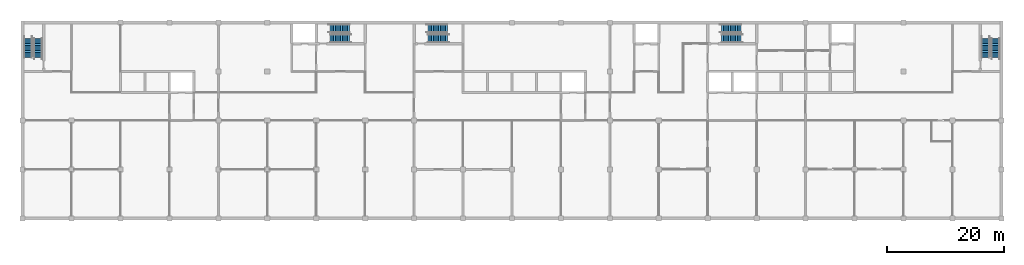
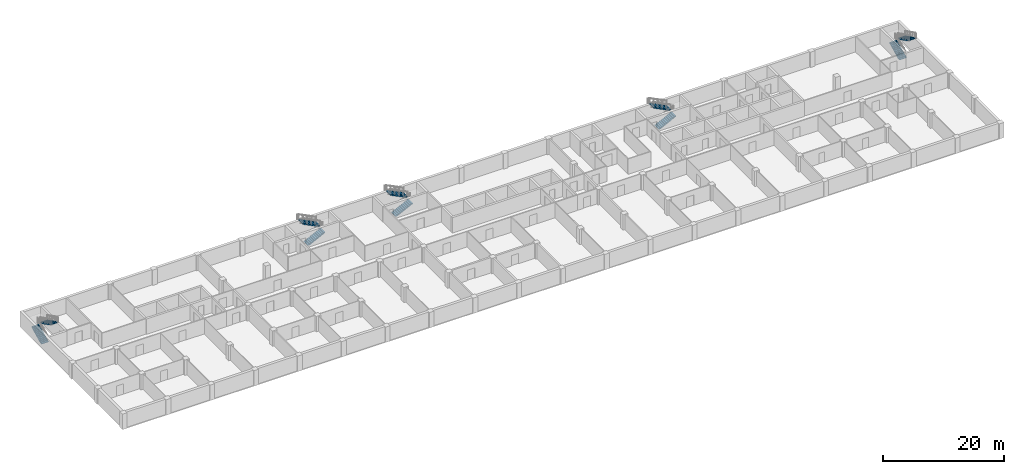
# One storey, part 7 of 12: 10 stair flights, 5 elements without a shape of their own.
"""IFC4 building model written with IfcOpenShell, lengths in metres."""

from ifc_helpers import new_model, si_unit, direction, frame, origin, place, context, subcontext, project, spatial, polyline, outline, extrude, material, type_object, element, aggregate, save


model = new_model("IFC4")

# Units and contexts
model_context = context("Model", 3, precision=1e-05, world=origin(), true_north=direction((0.0, 1.0)))
body_context = subcontext(model_context, "Body", "Model", "MODEL_VIEW")
ifc_project = project(units=[si_unit("LENGTHUNIT", "METRE"), si_unit("AREAUNIT", "SQUARE_METRE"), si_unit("VOLUMEUNIT", "CUBIC_METRE"), si_unit("PLANEANGLEUNIT", "RADIAN"), si_unit("MASSUNIT", "GRAM", prefix="KILO")], contexts=[model_context])

# Site, building, storey
site_placement = place(None, origin())
site = spatial("IfcSite", under=ifc_project, at=site_placement, CompositionType="ELEMENT")
building_placement = place(site_placement, origin())
building = spatial("IfcBuilding", under=site, at=building_placement, Name="Yavir Park General Hospital", CompositionType="ELEMENT")
storey_placement = place(building_placement, frame((0.0, 0.0, -7.800048828125)))
storey = spatial("IfcBuildingStorey", under=building, at=storey_placement, Name="B2", CompositionType="ELEMENT", Elevation=-7.800048828125)

# Stair, stair flights
ifc_material_1 = material(Name="Concrete C30/37", Category="concrete")
stair_type = type_object("IfcStairType", Name="Patient escape stair, 24 risers of 150 mm, 1400 mm flights", PredefinedType="HALF_TURN_STAIR", material=ifc_material_1)
stair_1_placement = place(storey_placement, origin())
stair_1 = element("IfcStair", 1, at=stair_1_placement, inside=storey, type_object=stair_type, Name="Stair BS1, B2 to B1", PredefinedType="HALF_TURN_STAIR")
ifc_material_2 = material(Name="Concrete C30/37", Category="concrete")
stair_flight_type = type_object("IfcStairFlightType", Name="Patient escape stair flight, 12 risers, 1400 mm wide", PredefinedType="STRAIGHT", material=ifc_material_2)
stair_flight_1_placement = place(storey_placement, frame((0.949951171875, 27.60009765625, 0.0), z_axis=(0.0, 0.0, 1.0), x_axis=(0.0, 1.0, 0.0)))
stair_flight_1 = element("IfcStairFlight", 2, at=stair_flight_1_placement, type_object=stair_flight_type, Name="BS1 flight 1", NumberOfRisers=12, NumberOfTreads=11, PredefinedType="STRAIGHT", RiserHeight=0.15, TreadLength=0.3, context=body_context, shape_type="SweptSolid", body=[
    extrude(outline(polyline([(0.0, 0.0), (0.0, 0.14990234375), (0.300048828125, 0.14990234375), (0.300048828125, 0.300048828125), (0.60009765625, 0.300048828125), (0.60009765625, 0.449951171875), (0.89990234375, 0.449951171875), (0.89990234375, 0.60009765625), (1.199951171875, 0.60009765625), (1.199951171875, 0.75), (1.5, 0.75), (1.5, 0.89990234375), (1.800048828125, 0.89990234375), (1.800048828125, 1.050048828125), (2.10009765625, 1.050048828125), (2.10009765625, 1.199951171875), (2.39990234375, 1.199951171875), (2.39990234375, 1.35009765625), (2.699951171875, 1.35009765625), (2.699951171875, 1.5), (3.0, 1.5), (3.0, 1.64990234375), (3.300048828125, 1.64990234375), (3.300048828125, 1.800048828125), (3.300048828125, 1.47119140625), (0.357666015625, 0.0), (0.0, 0.0)])), frame((0.0, 0.699951171875, 0.0), z_axis=(0.0, -1.0, 0.0), x_axis=(1.0, 0.0, 0.0)), (0.0, 0.0, 1.0), 1.39990234375),
])
stair_flight_2_placement = place(storey_placement, frame((2.64990234375, 30.89990234375, 1.800048828125), z_axis=(0.0, 0.0, 1.0), x_axis=(0.0, -1.0, 0.0)))
stair_flight_2 = element("IfcStairFlight", 3, at=stair_flight_2_placement, type_object=stair_flight_type, Name="BS1 flight 2", NumberOfRisers=12, NumberOfTreads=11, PredefinedType="STRAIGHT", RiserHeight=0.15, TreadLength=0.3, context=body_context, shape_type="SweptSolid", body=[
    extrude(outline(polyline([(0.0, 0.0), (0.0, 0.14990234375), (0.300048828125, 0.14990234375), (0.300048828125, 0.300048828125), (0.60009765625, 0.300048828125), (0.60009765625, 0.449951171875), (0.89990234375, 0.449951171875), (0.89990234375, 0.60009765625), (1.199951171875, 0.60009765625), (1.199951171875, 0.75), (1.5, 0.75), (1.5, 0.89990234375), (1.800048828125, 0.89990234375), (1.800048828125, 1.050048828125), (2.10009765625, 1.050048828125), (2.10009765625, 1.199951171875), (2.39990234375, 1.199951171875), (2.39990234375, 1.35009765625), (2.699951171875, 1.35009765625), (2.699951171875, 1.5), (3.0, 1.5), (3.0, 1.64990234375), (3.300048828125, 1.64990234375), (3.300048828125, 1.800048828125), (3.300048828125, 1.47119140625), (0.357666015625, 0.0), (0.0, 0.0)])), frame((0.0, 0.699951171875, 0.0), z_axis=(0.0, -1.0, 0.0), x_axis=(1.0, 0.0, 0.0)), (0.0, 0.0, 1.0), 1.39990234375),
])
aggregate(stair_1, [stair_flight_1, stair_flight_2])

stair_2_placement = place(storey_placement, origin())
stair_2 = element("IfcStair", 4, at=stair_2_placement, inside=storey, type_object=stair_type, Name="Stair BS2, B2 to B1", PredefinedType="HALF_TURN_STAIR")
stair_flight_3_placement = place(storey_placement, frame((52.800048828125, 30.89990234375, 0.0), z_axis=(0.0, 0.0, 1.0), x_axis=(1.0, 0.0, 0.0)))
stair_flight_3 = element("IfcStairFlight", 5, at=stair_flight_3_placement, type_object=stair_flight_type, Name="BS2 flight 1", NumberOfRisers=12, NumberOfTreads=11, PredefinedType="STRAIGHT", RiserHeight=0.15, TreadLength=0.3, context=body_context, shape_type="SweptSolid", body=[
    extrude(outline(polyline([(0.0, 0.0), (0.0, 0.14990234375), (0.300048828125, 0.14990234375), (0.300048828125, 0.300048828125), (0.60009765625, 0.300048828125), (0.60009765625, 0.449951171875), (0.89990234375, 0.449951171875), (0.89990234375, 0.60009765625), (1.199951171875, 0.60009765625), (1.199951171875, 0.75), (1.5, 0.75), (1.5, 0.89990234375), (1.800048828125, 0.89990234375), (1.800048828125, 1.050048828125), (2.10009765625, 1.050048828125), (2.10009765625, 1.199951171875), (2.39990234375, 1.199951171875), (2.39990234375, 1.35009765625), (2.699951171875, 1.35009765625), (2.699951171875, 1.5), (3.0, 1.5), (3.0, 1.64990234375), (3.300048828125, 1.64990234375), (3.300048828125, 1.800048828125), (3.300048828125, 1.47119140625), (0.357666015625, 0.0), (0.0, 0.0)])), frame((0.0, 0.699951171875, 0.0), z_axis=(0.0, -1.0, 0.0), x_axis=(1.0, 0.0, 0.0)), (0.0, 0.0, 1.0), 1.39990234375),
])
stair_flight_4_placement = place(storey_placement, frame((56.10009765625, 32.60009765625, 1.800048828125), z_axis=(0.0, 0.0, 1.0), x_axis=(-1.0, 0.0, 0.0)))
stair_flight_4 = element("IfcStairFlight", 6, at=stair_flight_4_placement, type_object=stair_flight_type, Name="BS2 flight 2", NumberOfRisers=12, NumberOfTreads=11, PredefinedType="STRAIGHT", RiserHeight=0.15, TreadLength=0.3, context=body_context, shape_type="SweptSolid", body=[
    extrude(outline(polyline([(0.0, 0.0), (0.0, 0.14990234375), (0.300048828125, 0.14990234375), (0.300048828125, 0.300048828125), (0.60009765625, 0.300048828125), (0.60009765625, 0.449951171875), (0.89990234375, 0.449951171875), (0.89990234375, 0.60009765625), (1.199951171875, 0.60009765625), (1.199951171875, 0.75), (1.5, 0.75), (1.5, 0.89990234375), (1.800048828125, 0.89990234375), (1.800048828125, 1.050048828125), (2.10009765625, 1.050048828125), (2.10009765625, 1.199951171875), (2.39990234375, 1.199951171875), (2.39990234375, 1.35009765625), (2.699951171875, 1.35009765625), (2.699951171875, 1.5), (3.0, 1.5), (3.0, 1.64990234375), (3.300048828125, 1.64990234375), (3.300048828125, 1.800048828125), (3.300048828125, 1.47119140625), (0.357666015625, 0.0), (0.0, 0.0)])), frame((0.0, 0.699951171875, 0.0), z_axis=(0.0, -1.0, 0.0), x_axis=(1.0, 0.0, 0.0)), (0.0, 0.0, 1.0), 1.39990234375),
])
aggregate(stair_2, [stair_flight_3, stair_flight_4])

stair_3_placement = place(storey_placement, origin())
stair_3 = element("IfcStair", 7, at=stair_3_placement, inside=storey, type_object=stair_type, Name="Stair BS3, B2 to B1", PredefinedType="HALF_TURN_STAIR")
stair_flight_5_placement = place(storey_placement, frame((69.60009765625, 30.89990234375, 0.0), z_axis=(0.0, 0.0, 1.0), x_axis=(1.0, 0.0, 0.0)))
stair_flight_5 = element("IfcStairFlight", 8, at=stair_flight_5_placement, type_object=stair_flight_type, Name="BS3 flight 1", NumberOfRisers=12, NumberOfTreads=11, PredefinedType="STRAIGHT", RiserHeight=0.15, TreadLength=0.3, context=body_context, shape_type="SweptSolid", body=[
    extrude(outline(polyline([(0.0, 0.0), (0.0, 0.14990234375), (0.300048828125, 0.14990234375), (0.300048828125, 0.300048828125), (0.60009765625, 0.300048828125), (0.60009765625, 0.449951171875), (0.89990234375, 0.449951171875), (0.89990234375, 0.60009765625), (1.199951171875, 0.60009765625), (1.199951171875, 0.75), (1.5, 0.75), (1.5, 0.89990234375), (1.800048828125, 0.89990234375), (1.800048828125, 1.050048828125), (2.10009765625, 1.050048828125), (2.10009765625, 1.199951171875), (2.39990234375, 1.199951171875), (2.39990234375, 1.35009765625), (2.699951171875, 1.35009765625), (2.699951171875, 1.5), (3.0, 1.5), (3.0, 1.64990234375), (3.300048828125, 1.64990234375), (3.300048828125, 1.800048828125), (3.300048828125, 1.47119140625), (0.357666015625, 0.0), (0.0, 0.0)])), frame((0.0, 0.699951171875, 0.0), z_axis=(0.0, -1.0, 0.0), x_axis=(1.0, 0.0, 0.0)), (0.0, 0.0, 1.0), 1.39990234375),
])
stair_flight_6_placement = place(storey_placement, frame((72.89990234375, 32.60009765625, 1.800048828125), z_axis=(0.0, 0.0, 1.0), x_axis=(-1.0, 0.0, 0.0)))
stair_flight_6 = element("IfcStairFlight", 9, at=stair_flight_6_placement, type_object=stair_flight_type, Name="BS3 flight 2", NumberOfRisers=12, NumberOfTreads=11, PredefinedType="STRAIGHT", RiserHeight=0.15, TreadLength=0.3, context=body_context, shape_type="SweptSolid", body=[
    extrude(outline(polyline([(0.0, 0.0), (0.0, 0.14990234375), (0.300048828125, 0.14990234375), (0.300048828125, 0.300048828125), (0.60009765625, 0.300048828125), (0.60009765625, 0.449951171875), (0.89990234375, 0.449951171875), (0.89990234375, 0.60009765625), (1.199951171875, 0.60009765625), (1.199951171875, 0.75), (1.5, 0.75), (1.5, 0.89990234375), (1.800048828125, 0.89990234375), (1.800048828125, 1.050048828125), (2.10009765625, 1.050048828125), (2.10009765625, 1.199951171875), (2.39990234375, 1.199951171875), (2.39990234375, 1.35009765625), (2.699951171875, 1.35009765625), (2.699951171875, 1.5), (3.0, 1.5), (3.0, 1.64990234375), (3.300048828125, 1.64990234375), (3.300048828125, 1.800048828125), (3.300048828125, 1.47119140625), (0.357666015625, 0.0), (0.0, 0.0)])), frame((0.0, 0.699951171875, 0.0), z_axis=(0.0, -1.0, 0.0), x_axis=(1.0, 0.0, 0.0)), (0.0, 0.0, 1.0), 1.39990234375),
])
aggregate(stair_3, [stair_flight_5, stair_flight_6])

stair_4_placement = place(storey_placement, origin())
stair_4 = element("IfcStair", 10, at=stair_4_placement, inside=storey, type_object=stair_type, Name="Stair BS4, B2 to B1", PredefinedType="HALF_TURN_STAIR")
stair_flight_7_placement = place(storey_placement, frame((120.0, 30.89990234375, 0.0), z_axis=(0.0, 0.0, 1.0), x_axis=(1.0, 0.0, 0.0)))
stair_flight_7 = element("IfcStairFlight", 11, at=stair_flight_7_placement, type_object=stair_flight_type, Name="BS4 flight 1", NumberOfRisers=12, NumberOfTreads=11, PredefinedType="STRAIGHT", RiserHeight=0.15, TreadLength=0.3, context=body_context, shape_type="SweptSolid", body=[
    extrude(outline(polyline([(0.0, 0.0), (0.0, 0.14990234375), (0.300048828125, 0.14990234375), (0.300048828125, 0.300048828125), (0.60009765625, 0.300048828125), (0.60009765625, 0.449951171875), (0.89990234375, 0.449951171875), (0.89990234375, 0.60009765625), (1.199951171875, 0.60009765625), (1.199951171875, 0.75), (1.5, 0.75), (1.5, 0.89990234375), (1.800048828125, 0.89990234375), (1.800048828125, 1.050048828125), (2.10009765625, 1.050048828125), (2.10009765625, 1.199951171875), (2.39990234375, 1.199951171875), (2.39990234375, 1.35009765625), (2.699951171875, 1.35009765625), (2.699951171875, 1.5), (3.0, 1.5), (3.0, 1.64990234375), (3.300048828125, 1.64990234375), (3.300048828125, 1.800048828125), (3.300048828125, 1.47119140625), (0.357666015625, 0.0), (0.0, 0.0)])), frame((0.0, 0.699951171875, 0.0), z_axis=(0.0, -1.0, 0.0), x_axis=(1.0, 0.0, 0.0)), (0.0, 0.0, 1.0), 1.39990234375),
])
stair_flight_8_placement = place(storey_placement, frame((123.300048828125, 32.60009765625, 1.800048828125), z_axis=(0.0, 0.0, 1.0), x_axis=(-1.0, 0.0, 0.0)))
stair_flight_8 = element("IfcStairFlight", 12, at=stair_flight_8_placement, type_object=stair_flight_type, Name="BS4 flight 2", NumberOfRisers=12, NumberOfTreads=11, PredefinedType="STRAIGHT", RiserHeight=0.15, TreadLength=0.3, context=body_context, shape_type="SweptSolid", body=[
    extrude(outline(polyline([(0.0, 0.0), (0.0, 0.14990234375), (0.300048828125, 0.14990234375), (0.300048828125, 0.300048828125), (0.60009765625, 0.300048828125), (0.60009765625, 0.449951171875), (0.89990234375, 0.449951171875), (0.89990234375, 0.60009765625), (1.199951171875, 0.60009765625), (1.199951171875, 0.75), (1.5, 0.75), (1.5, 0.89990234375), (1.800048828125, 0.89990234375), (1.800048828125, 1.050048828125), (2.10009765625, 1.050048828125), (2.10009765625, 1.199951171875), (2.39990234375, 1.199951171875), (2.39990234375, 1.35009765625), (2.699951171875, 1.35009765625), (2.699951171875, 1.5), (3.0, 1.5), (3.0, 1.64990234375), (3.300048828125, 1.64990234375), (3.300048828125, 1.800048828125), (3.300048828125, 1.47119140625), (0.357666015625, 0.0), (0.0, 0.0)])), frame((0.0, 0.699951171875, 0.0), z_axis=(0.0, -1.0, 0.0), x_axis=(1.0, 0.0, 0.0)), (0.0, 0.0, 1.0), 1.39990234375),
])
aggregate(stair_4, [stair_flight_7, stair_flight_8])

stair_5_placement = place(storey_placement, origin())
stair_5 = element("IfcStair", 13, at=stair_5_placement, inside=storey, type_object=stair_type, Name="Stair BS5, B2 to B1", PredefinedType="HALF_TURN_STAIR")
stair_flight_9_placement = place(storey_placement, frame((165.300048828125, 27.60009765625, 0.0), z_axis=(0.0, 0.0, 1.0), x_axis=(0.0, 1.0, 0.0)))
stair_flight_9 = element("IfcStairFlight", 14, at=stair_flight_9_placement, type_object=stair_flight_type, Name="BS5 flight 1", NumberOfRisers=12, NumberOfTreads=11, PredefinedType="STRAIGHT", RiserHeight=0.15, TreadLength=0.3, context=body_context, shape_type="SweptSolid", body=[
    extrude(outline(polyline([(0.0, 0.0), (0.0, 0.14990234375), (0.300048828125, 0.14990234375), (0.300048828125, 0.300048828125), (0.60009765625, 0.300048828125), (0.60009765625, 0.449951171875), (0.89990234375, 0.449951171875), (0.89990234375, 0.60009765625), (1.199951171875, 0.60009765625), (1.199951171875, 0.75), (1.5, 0.75), (1.5, 0.89990234375), (1.800048828125, 0.89990234375), (1.800048828125, 1.050048828125), (2.10009765625, 1.050048828125), (2.10009765625, 1.199951171875), (2.39990234375, 1.199951171875), (2.39990234375, 1.35009765625), (2.699951171875, 1.35009765625), (2.699951171875, 1.5), (3.0, 1.5), (3.0, 1.64990234375), (3.300048828125, 1.64990234375), (3.300048828125, 1.800048828125), (3.300048828125, 1.47119140625), (0.357666015625, 0.0), (0.0, 0.0)])), frame((0.0, 0.699951171875, 0.0), z_axis=(0.0, -1.0, 0.0), x_axis=(1.0, 0.0, 0.0)), (0.0, 0.0, 1.0), 1.39990234375),
])
stair_flight_10_placement = place(storey_placement, frame((167.0, 30.89990234375, 1.800048828125), z_axis=(0.0, 0.0, 1.0), x_axis=(0.0, -1.0, 0.0)))
stair_flight_10 = element("IfcStairFlight", 15, at=stair_flight_10_placement, type_object=stair_flight_type, Name="BS5 flight 2", NumberOfRisers=12, NumberOfTreads=11, PredefinedType="STRAIGHT", RiserHeight=0.15, TreadLength=0.3, context=body_context, shape_type="SweptSolid", body=[
    extrude(outline(polyline([(0.0, 0.0), (0.0, 0.14990234375), (0.300048828125, 0.14990234375), (0.300048828125, 0.300048828125), (0.60009765625, 0.300048828125), (0.60009765625, 0.449951171875), (0.89990234375, 0.449951171875), (0.89990234375, 0.60009765625), (1.199951171875, 0.60009765625), (1.199951171875, 0.75), (1.5, 0.75), (1.5, 0.89990234375), (1.800048828125, 0.89990234375), (1.800048828125, 1.050048828125), (2.10009765625, 1.050048828125), (2.10009765625, 1.199951171875), (2.39990234375, 1.199951171875), (2.39990234375, 1.35009765625), (2.699951171875, 1.35009765625), (2.699951171875, 1.5), (3.0, 1.5), (3.0, 1.64990234375), (3.300048828125, 1.64990234375), (3.300048828125, 1.800048828125), (3.300048828125, 1.47119140625), (0.357666015625, 0.0), (0.0, 0.0)])), frame((0.0, 0.699951171875, 0.0), z_axis=(0.0, -1.0, 0.0), x_axis=(1.0, 0.0, 0.0)), (0.0, 0.0, 1.0), 1.39990234375),
])
aggregate(stair_5, [stair_flight_9, stair_flight_10])

save(model, "model.ifc")
